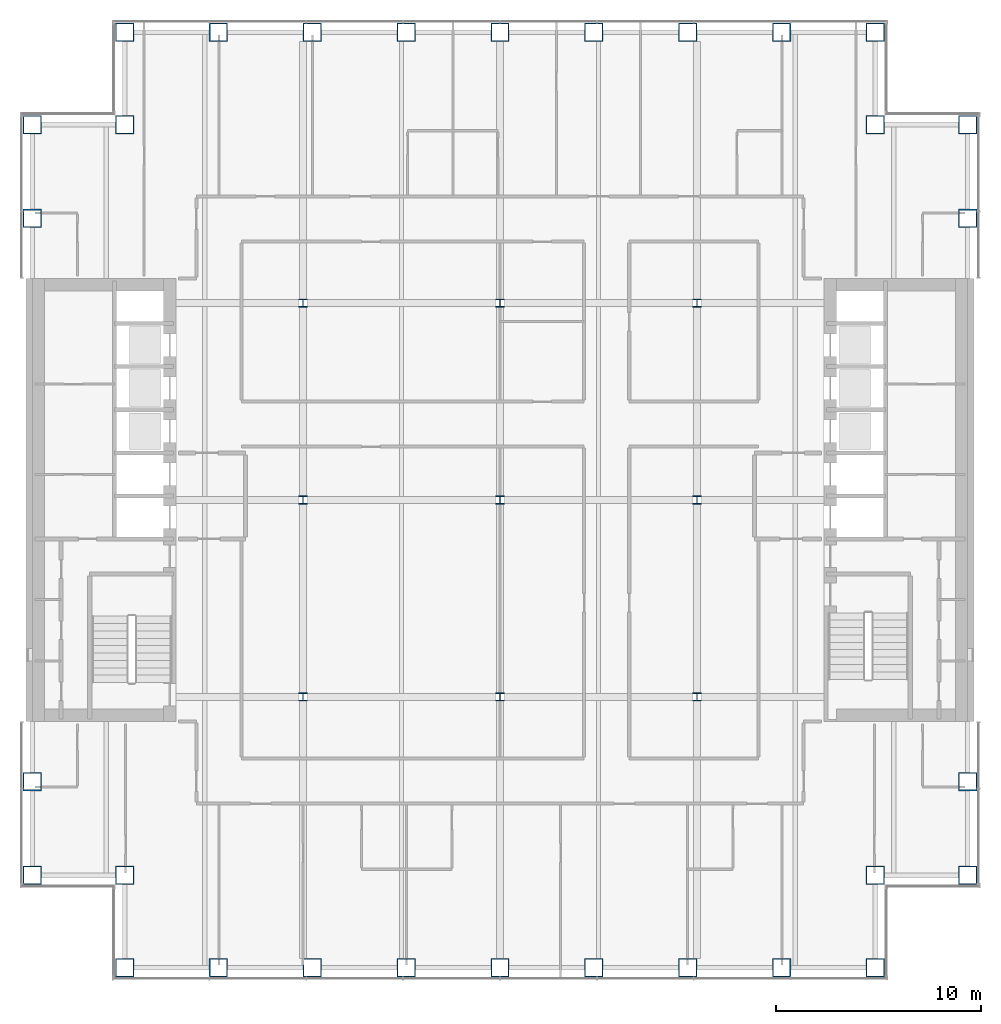
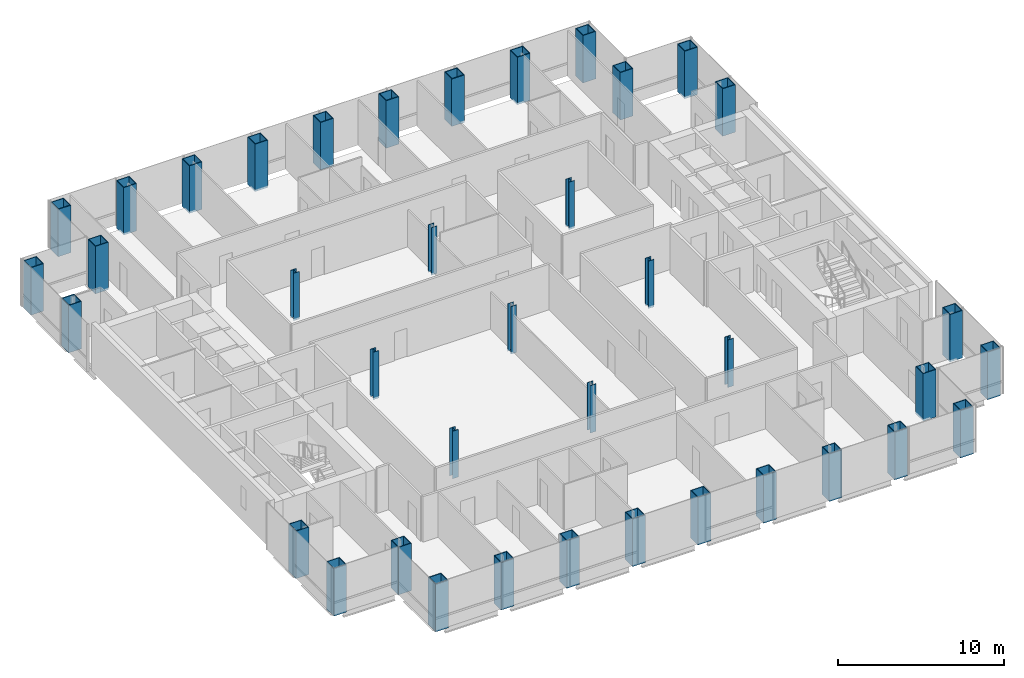
# One storey, part 1 of 16: 39 columns.
"""IFC4 building model written with IfcOpenShell, lengths in metres."""

from ifc_helpers import new_model, si_unit, direction, frame, origin, origin_2d, place, context, subcontext, project, spatial, hollow_rectangle, i_section, extrude, material, material_profile, profile_set, type_object, element, save


model = new_model("IFC4")

# Units and contexts
model_context = context("Model", 3, precision=1e-05, world=origin(), true_north=direction((0.0, 1.0)))
body_context = subcontext(model_context, "Body", "Model", "MODEL_VIEW")
ifc_project = project(units=[si_unit("LENGTHUNIT", "METRE"), si_unit("AREAUNIT", "SQUARE_METRE"), si_unit("VOLUMEUNIT", "CUBIC_METRE"), si_unit("PLANEANGLEUNIT", "RADIAN"), si_unit("MASSUNIT", "GRAM", prefix="KILO")], contexts=[model_context])

# Site, building, storey
site_placement = place(None, origin())
site = spatial("IfcSite", under=ifc_project, at=site_placement, CompositionType="ELEMENT")
building_placement = place(site_placement, origin())
building = spatial("IfcBuilding", under=site, at=building_placement, Name="Cobrizo Arcos Hotel Tower", CompositionType="ELEMENT")
storey_placement = place(building_placement, frame((0.0, 0.0, 113.5)))
storey = spatial("IfcBuildingStorey", under=building, at=storey_placement, Name="L28", CompositionType="ELEMENT", Elevation=113.5)

# Columns
ifc_material_1 = material(Name="Steel ASTM A572 Grade 50", Category="steel")
ifc_material_profile_1 = material_profile(ifc_material_1, hollow_rectangle(XDim=0.89990234375, YDim=0.89990234375, WallThickness=0.050048828125, at=origin_2d()), Name="BOX 900X900X50")
ifc_profile_set_1 = profile_set([ifc_material_profile_1], Name="Steel ASTM A572 Grade 50")
column_type_1 = type_object("IfcColumnType", Name="BOX 900X900X50 column", PredefinedType="COLUMN", material=ifc_profile_set_1)
for number, where, z_axis, x_axis, name in (
    (1, (-18.300048828125, 22.800048828125, -0.14990234375), (0.0, 0.0, 1.0), (1.0, 0.0, 0.0), "Perimeter column C6, L28, no. 00"),
    (2, (-18.300048828125, -22.800048828125, -0.14990234375), (0.0, 0.0, 1.0), (1.0, 0.0, 0.0), "Perimeter column C6, L28, no. 01"),
    (3, (-13.72509765625, 22.800048828125, -0.14990234375), (0.0, 0.0, 1.0), (1.0, 0.0, 0.0), "Perimeter column C6, L28, no. 02"),
    (4, (-13.72509765625, -22.800048828125, -0.14990234375), (0.0, 0.0, 1.0), (1.0, 0.0, 0.0), "Perimeter column C6, L28, no. 03"),
    (5, (-9.14990234375, 22.800048828125, -0.14990234375), (0.0, 0.0, 1.0), (1.0, 0.0, 0.0), "Perimeter column C6, L28, no. 04"),
    (6, (-9.14990234375, -22.800048828125, -0.14990234375), (0.0, 0.0, 1.0), (1.0, 0.0, 0.0), "Perimeter column C6, L28, no. 05"),
    (7, (-4.574951171875, 22.800048828125, -0.14990234375), (0.0, 0.0, 1.0), (1.0, 0.0, 0.0), "Perimeter column C6, L28, no. 06"),
    (8, (-4.574951171875, -22.800048828125, -0.14990234375), (0.0, 0.0, 1.0), (1.0, 0.0, 0.0), "Perimeter column C6, L28, no. 07"),
    (9, (0.0, 22.800048828125, -0.14990234375), (0.0, 0.0, 1.0), (1.0, 0.0, 0.0), "Perimeter column C6, L28, no. 08"),
    (10, (0.0, -22.800048828125, -0.14990234375), (0.0, 0.0, 1.0), (1.0, 0.0, 0.0), "Perimeter column C6, L28, no. 09"),
    (11, (4.574951171875, 22.800048828125, -0.14990234375), (0.0, 0.0, 1.0), (1.0, 0.0, 0.0), "Perimeter column C6, L28, no. 10"),
    (12, (4.574951171875, -22.800048828125, -0.14990234375), (0.0, 0.0, 1.0), (1.0, 0.0, 0.0), "Perimeter column C6, L28, no. 11"),
    (13, (9.14990234375, 22.800048828125, -0.14990234375), (0.0, 0.0, 1.0), (1.0, 0.0, 0.0), "Perimeter column C6, L28, no. 12"),
    (14, (9.14990234375, -22.800048828125, -0.14990234375), (0.0, 0.0, 1.0), (1.0, 0.0, 0.0), "Perimeter column C6, L28, no. 13"),
    (15, (13.72509765625, 22.800048828125, -0.14990234375), (0.0, 0.0, 1.0), (1.0, 0.0, 0.0), "Perimeter column C6, L28, no. 14"),
    (16, (13.72509765625, -22.800048828125, -0.14990234375), (0.0, 0.0, 1.0), (1.0, 0.0, 0.0), "Perimeter column C6, L28, no. 15"),
    (17, (18.300048828125, 22.800048828125, -0.14990234375), (0.0, 0.0, 1.0), (1.0, 0.0, 0.0), "Perimeter column C6, L28, no. 16"),
    (18, (18.300048828125, -22.800048828125, -0.14990234375), (0.0, 0.0, 1.0), (1.0, 0.0, 0.0), "Perimeter column C6, L28, no. 17"),
    (19, (22.800048828125, -18.300048828125, -0.14990234375), (0.0, 0.0, 1.0), (1.0, 0.0, 0.0), "Perimeter column C6, L28, no. 18"),
    (20, (-22.800048828125, -18.300048828125, -0.14990234375), (0.0, 0.0, 1.0), (1.0, 0.0, 0.0), "Perimeter column C6, L28, no. 19"),
    (21, (22.800048828125, -13.72509765625, -0.14990234375), (0.0, 0.0, 1.0), (1.0, 0.0, 0.0), "Perimeter column C6, L28, no. 20"),
    (22, (-22.800048828125, -13.72509765625, -0.14990234375), (0.0, 0.0, 1.0), (1.0, 0.0, 0.0), "Perimeter column C6, L28, no. 21"),
    (23, (22.800048828125, 13.72509765625, -0.14990234375), (0.0, 0.0, 1.0), (1.0, 0.0, 0.0), "Perimeter column C6, L28, no. 22"),
    (24, (-22.800048828125, 13.72509765625, -0.14990234375), (0.0, 0.0, 1.0), (1.0, 0.0, 0.0), "Perimeter column C6, L28, no. 23"),
    (25, (22.800048828125, 18.300048828125, -0.14990234375), (0.0, 0.0, 1.0), (1.0, 0.0, 0.0), "Perimeter column C6, L28, no. 24"),
    (26, (-22.800048828125, 18.300048828125, -0.14990234375), (0.0, 0.0, 1.0), (1.0, 0.0, 0.0), "Perimeter column C6, L28, no. 25"),
    (27, (-18.300048828125, -18.300048828125, -0.14990234375), (0.0, 0.0, 1.0), (1.0, 0.0, 0.0), "Perimeter column C6, L28, no. 26"),
    (28, (-18.300048828125, 18.300048828125, -0.14990234375), (0.0, 0.0, 1.0), (1.0, 0.0, 0.0), "Perimeter column C6, L28, no. 27"),
    (29, (18.300048828125, -18.300048828125, -0.14990234375), (0.0, 0.0, 1.0), (1.0, 0.0, 0.0), "Perimeter column C6, L28, no. 28"),
    (30, (18.300048828125, 18.300048828125, -0.14990234375), (0.0, 0.0, 1.0), (1.0, 0.0, 0.0), "Perimeter column C6, L28, no. 29"),
):
    element("IfcColumn", number, at=place(storey_placement, frame(where, z_axis=z_axis, x_axis=x_axis)), inside=storey, type_object=column_type_1, Name=name, PredefinedType="COLUMN", context=body_context, shape_type="SweptSolid", body=[
        extrude(hollow_rectangle(XDim=0.89990234375, YDim=0.89990234375, WallThickness=0.050048828125, at=origin_2d()), origin(), (0.0, 0.0, 1.0), 3.5),
    ])
ifc_material_2 = material(Name="Steel ASTM A992 Grade 50", Category="steel")
ifc_material_profile_2 = material_profile(ifc_material_2, i_section(OverallWidth=0.398681640625, OverallDepth=0.393798828125, WebThickness=0.022705078125, FlangeThickness=0.03662109375, at=origin_2d()), Name="W14X193")
ifc_profile_set_2 = profile_set([ifc_material_profile_2], Name="Steel ASTM A992 Grade 50")
column_type_2 = type_object("IfcColumnType", Name="W14X193 interior column", PredefinedType="COLUMN", material=ifc_profile_set_2)
for number, where, z_axis, x_axis, name in (
    (31, (-9.60009765625, -9.60009765625, -0.14990234375), (0.0, 0.0, 1.0), (1.0, 0.0, 0.0), "Interior column C7, L28, no. 00"),
    (32, (-9.60009765625, 0.0, -0.14990234375), (0.0, 0.0, 1.0), (1.0, 0.0, 0.0), "Interior column C7, L28, no. 01"),
    (33, (-9.60009765625, 9.60009765625, -0.14990234375), (0.0, 0.0, 1.0), (1.0, 0.0, 0.0), "Interior column C7, L28, no. 02"),
    (34, (0.0, -9.60009765625, -0.14990234375), (0.0, 0.0, 1.0), (1.0, 0.0, 0.0), "Interior column C7, L28, no. 03"),
    (35, (0.0, 0.0, -0.14990234375), (0.0, 0.0, 1.0), (1.0, 0.0, 0.0), "Interior column C7, L28, no. 04"),
    (36, (0.0, 9.60009765625, -0.14990234375), (0.0, 0.0, 1.0), (1.0, 0.0, 0.0), "Interior column C7, L28, no. 05"),
    (37, (9.60009765625, -9.60009765625, -0.14990234375), (0.0, 0.0, 1.0), (1.0, 0.0, 0.0), "Interior column C7, L28, no. 06"),
    (38, (9.60009765625, 0.0, -0.14990234375), (0.0, 0.0, 1.0), (1.0, 0.0, 0.0), "Interior column C7, L28, no. 07"),
    (39, (9.60009765625, 9.60009765625, -0.14990234375), (0.0, 0.0, 1.0), (1.0, 0.0, 0.0), "Interior column C7, L28, no. 08"),
):
    element("IfcColumn", number, at=place(storey_placement, frame(where, z_axis=z_axis, x_axis=x_axis)), inside=storey, type_object=column_type_2, Name=name, PredefinedType="COLUMN", context=body_context, shape_type="SweptSolid", body=[
        extrude(i_section(OverallWidth=0.398681640625, OverallDepth=0.393798828125, WebThickness=0.022705078125, FlangeThickness=0.03662109375, at=origin_2d()), origin(), (0.0, 0.0, 1.0), 3.5),
    ])

save(model, "model.ifc")
